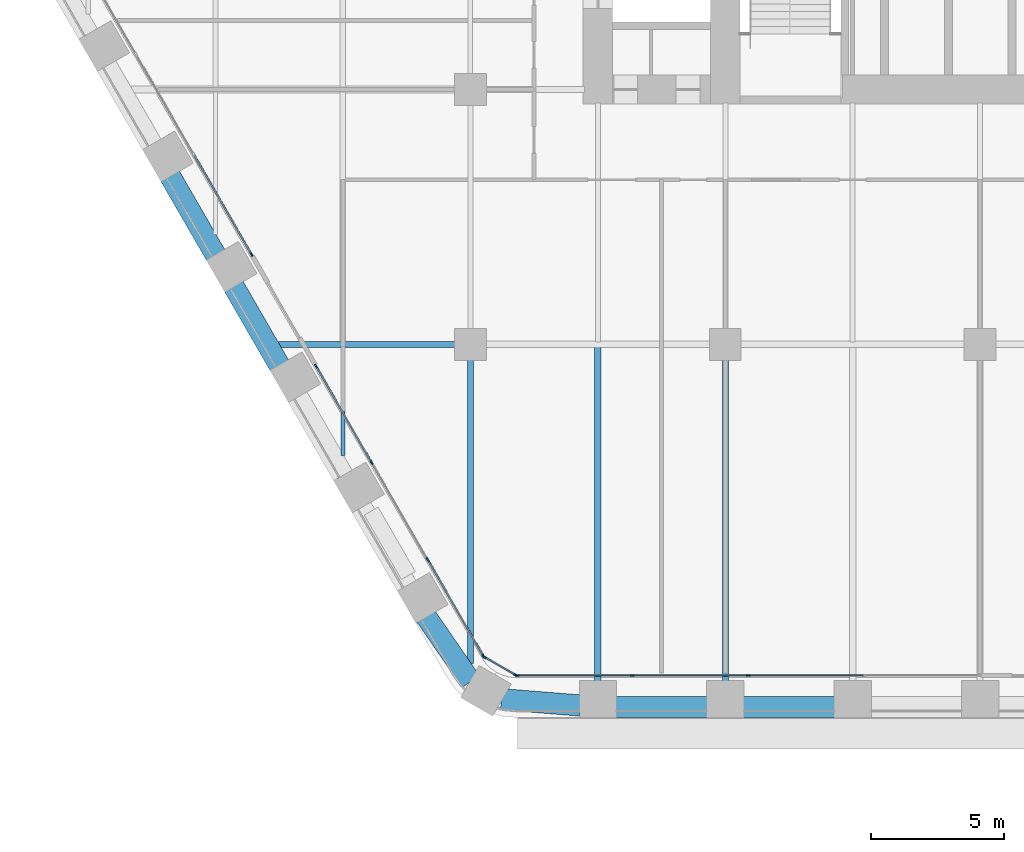
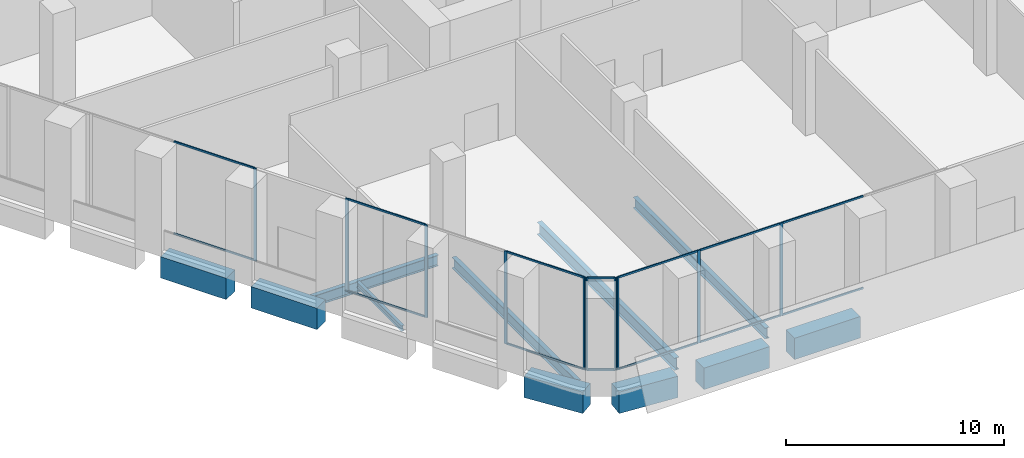
# One storey, part 2 of 29: 24 members, 11 beams, 4 elements without a shape of their own.
"""IFC4 building model written with IfcOpenShell, lengths in metres."""

from ifc_helpers import new_model, si_unit, direction, frame, origin, origin_2d, place, context, subcontext, project, spatial, rectangle, i_section, extrude, material, material_profile, profile_set, type_object, element, aggregate, save


model = new_model("IFC4")

# Units and contexts
model_context = context("Model", 3, precision=1e-05, world=origin(), true_north=direction((0.0, 1.0)))
body_context = subcontext(model_context, "Body", "Model", "MODEL_VIEW")
ifc_project = project(units=[si_unit("LENGTHUNIT", "METRE"), si_unit("AREAUNIT", "SQUARE_METRE"), si_unit("VOLUMEUNIT", "CUBIC_METRE"), si_unit("PLANEANGLEUNIT", "RADIAN"), si_unit("MASSUNIT", "GRAM", prefix="KILO")], contexts=[model_context])

# Site, building, storey
site_placement = place(None, origin())
site = spatial("IfcSite", under=ifc_project, at=site_placement, CompositionType="ELEMENT")
building_placement = place(site_placement, origin())
building = spatial("IfcBuilding", under=site, at=building_placement, Name="Kolab Exchange Tower", CompositionType="ELEMENT")
storey_placement = place(building_placement, frame((0.0, 0.0, 55.39990234375)))
storey = spatial("IfcBuildingStorey", under=building, at=storey_placement, Name="L10", CompositionType="ELEMENT", Elevation=55.39990234375)

# Beams
ifc_material_1 = material(Name="Steel S355", Category="steel")
ifc_material_profile_1 = material_profile(ifc_material_1, i_section(OverallWidth=0.1650390625, OverallDepth=0.31005859375, WebThickness=0.005859375, FlangeThickness=0.009765625, at=origin_2d()), Name="W310X39")
ifc_profile_set_1 = profile_set([ifc_material_profile_1], Name="Steel S355")
beam_type_1 = type_object("IfcBeamType", Name="FLOOR BEAM W310X39", PredefinedType="BEAM", material=ifc_profile_set_1)
beam_1_placement = place(storey_placement, frame((-24.0, -23.381591796875, -0.40478515625), z_axis=(0.0, 1.0, 0.0), x_axis=(-1.0, 0.0, 0.0)))
element("IfcBeam", 1, at=beam_1_placement, inside=storey, type_object=beam_type_1, Name="beam/L10/fr/006", PredefinedType="BEAM", context=body_context, shape_type="SweptSolid", body=[
    extrude(i_section(OverallWidth=0.1650390625, OverallDepth=0.31005859375, WebThickness=0.005859375, FlangeThickness=0.009765625, at=origin_2d()), origin(), (0.0, 0.0, 1.0), 4.107666015625),
])
ifc_material_profile_2 = material_profile(ifc_material_1, i_section(OverallWidth=0.22802734375, OverallDepth=0.60791015625, WebThickness=0.01123046875, FlangeThickness=0.017333984375, at=origin_2d()), Name="W610X113")
ifc_profile_set_2 = profile_set([ifc_material_profile_2], Name="Steel S355")
beam_type_2 = type_object("IfcBeamType", Name="FLOOR BEAM W610X113", PredefinedType="BEAM", material=ifc_profile_set_2)
beam_2_placement = place(storey_placement, frame((-19.199951171875, -31.214599609375, -0.553955078125), z_axis=(0.0, 1.0, 0.0), x_axis=(-1.0, 0.0, 0.0)))
element("IfcBeam", 2, at=beam_2_placement, inside=storey, type_object=beam_type_2, Name="beam/L10/fr/012", PredefinedType="BEAM", context=body_context, shape_type="SweptSolid", body=[
    extrude(i_section(OverallWidth=0.22802734375, OverallDepth=0.60791015625, WebThickness=0.01123046875, FlangeThickness=0.017333984375, at=origin_2d()), origin(), (0.0, 0.0, 1.0), 11.45458984375),
])
beam_3_placement = place(storey_placement, frame((-9.60009765625, -31.8955078125, -0.553955078125), z_axis=(0.0, 1.0, 0.0), x_axis=(-1.0, 0.0, 0.0)))
element("IfcBeam", 3, at=beam_3_placement, inside=storey, type_object=beam_type_2, Name="beam/L10/fr/022", PredefinedType="BEAM", context=body_context, shape_type="SweptSolid", body=[
    extrude(i_section(OverallWidth=0.22802734375, OverallDepth=0.60791015625, WebThickness=0.01123046875, FlangeThickness=0.017333984375, at=origin_2d()), origin(), (0.0, 0.0, 1.0), 12.135498046875),
])
ifc_material_profile_3 = material_profile(ifc_material_1, i_section(OverallWidth=0.25390625, OverallDepth=0.68408203125, WebThickness=0.012451171875, FlangeThickness=0.018798828125, at=origin_2d()), Name="W690X140")
ifc_profile_set_3 = profile_set([ifc_material_profile_3], Name="Steel S355")
beam_type_3 = type_object("IfcBeamType", Name="FLOOR BEAM W690X140", PredefinedType="BEAM", material=ifc_profile_set_3)
beam_4_placement = place(storey_placement, frame((-14.39990234375, -31.8955078125, -0.591796875), z_axis=(0.0, 1.0, 0.0), x_axis=(-1.0, 0.0, 0.0)))
element("IfcBeam", 4, at=beam_4_placement, inside=storey, type_object=beam_type_3, Name="beam/L10/fr/018", PredefinedType="BEAM", context=body_context, shape_type="SweptSolid", body=[
    extrude(i_section(OverallWidth=0.25390625, OverallDepth=0.68408203125, WebThickness=0.012451171875, FlangeThickness=0.018798828125, at=origin_2d()), origin(), (0.0, 0.0, 1.0), 12.6083984375),
])
ifc_material_profile_4 = material_profile(ifc_material_1, i_section(OverallWidth=0.22802734375, OverallDepth=0.60791015625, WebThickness=0.01123046875, FlangeThickness=0.017333984375, at=origin_2d()), Name="W610X113")
ifc_profile_set_4 = profile_set([ifc_material_profile_4], Name="Steel S355")
beam_type_4 = type_object("IfcBeamType", Name="FLOOR GIRDER W610X113", PredefinedType="BEAM", material=ifc_profile_set_4)
beam_5_placement = place(storey_placement, frame((-26.43115234375, -19.199951171875, -0.553955078125), z_axis=(1.0, 0.0, 0.0), x_axis=(0.0, 1.0, 0.0)))
element("IfcBeam", 5, at=beam_5_placement, inside=storey, type_object=beam_type_4, Name="beam/L10/gd/004", PredefinedType="BEAM", context=body_context, shape_type="SweptSolid", body=[
    extrude(i_section(OverallWidth=0.22802734375, OverallDepth=0.60791015625, WebThickness=0.01123046875, FlangeThickness=0.017333984375, at=origin_2d()), origin(), (0.0, 0.0, 1.0), 6.671142578125),
])
ifc_material_2 = material(Name="Concrete C80/95", Category="concrete")
ifc_material_profile_5 = material_profile(ifc_material_2, rectangle(XDim=0.800048828125, YDim=1.199951171875, at=origin_2d()), Name="RC800X1200")
ifc_profile_set_5 = profile_set([ifc_material_profile_5], Name="Concrete C80/95")
beam_type_5 = type_object("IfcBeamType", Name="SPANDREL BEAM 800X1200 C80/95", PredefinedType="BEAM", material=ifc_profile_set_5)
for number, where, z_axis, x_axis, name in (
    (6, (-5.4599609375, -32.85546875, -0.849853515625), (-1.0, 0.0, 0.0), (0.0, -1.0, 0.0), "beam/L10/sp/F4-06"),
    (7, (-10.260009765625, -32.85546875, -0.849853515625), (-1.0, 0.0, 0.0), (0.0, -1.0, 0.0), "beam/L10/sp/F4-07"),
):
    element("IfcBeam", number, at=place(storey_placement, frame(where, z_axis=z_axis, x_axis=x_axis)), inside=storey, type_object=beam_type_5, Name=name, PredefinedType="BEAM", context=body_context, shape_type="SweptSolid", body=[
        extrude(rectangle(XDim=0.800048828125, YDim=1.199951171875, at=origin_2d()), origin(), (0.0, 0.0, 1.0), 3.47998046875),
    ])
beam_6_placement = place(storey_placement, frame((-15.06005859375, -32.802734375, -0.849853515625), z_axis=(-0.996833978278, 0.07951112973, 0.0), x_axis=(-0.07951112973, -0.996833978278, 0.0)))
element("IfcBeam", 8, at=beam_6_placement, inside=storey, type_object=beam_type_5, Name="beam/L10/sp/F4-08", PredefinedType="BEAM", context=body_context, shape_type="SweptSolid", body=[
    extrude(rectangle(XDim=0.800048828125, YDim=1.199951171875, at=origin_2d()), origin(), (0.0, 0.0, 1.0), 2.984619140625),
])
beam_7_placement = place(storey_placement, frame((-19.18505859375, -31.901611328125, -0.849853515625), z_axis=(-0.567247290755, 0.823547516013, 0.0), x_axis=(-0.823547516013, -0.567247290755, 0.0)))
element("IfcBeam", 9, at=beam_7_placement, inside=storey, type_object=beam_type_5, Name="beam/L10/sp/F5-01", PredefinedType="BEAM", context=body_context, shape_type="SweptSolid", body=[
    extrude(rectangle(XDim=0.800048828125, YDim=1.199951171875, at=origin_2d()), origin(), (0.0, 0.0, 1.0), 2.984375),
])
beam_8_placement = place(storey_placement, frame((-26.383544921875, -20.012939453125, -0.849853515625), z_axis=(-0.500009906705, 0.86601968407, 0.0), x_axis=(-0.86601968407, -0.500009906705, 0.0)))
element("IfcBeam", 10, at=beam_8_placement, inside=storey, type_object=beam_type_5, Name="beam/L10/sp/F5-04", PredefinedType="BEAM", context=body_context, shape_type="SweptSolid", body=[
    extrude(rectangle(XDim=0.800048828125, YDim=1.199951171875, at=origin_2d()), origin(), (0.0, 0.0, 1.0), 3.47998046875),
])
beam_9_placement = place(storey_placement, frame((-28.78369140625, -15.856201171875, -0.849853515625), z_axis=(-0.499979528911, 0.866037222451, 0.0), x_axis=(-0.866037222451, -0.499979528911, 0.0)))
element("IfcBeam", 11, at=beam_9_placement, inside=storey, type_object=beam_type_5, Name="beam/L10/sp/F5-05", PredefinedType="BEAM", context=body_context, shape_type="SweptSolid", body=[
    extrude(rectangle(XDim=0.800048828125, YDim=1.199951171875, at=origin_2d()), origin(), (0.0, 0.0, 1.0), 3.480224609375),
])

# Curtain wall, members
ifc_material_3 = material(Name="Aluminium EN AW-6063 T6", Category="aluminium")
curtain_wall_type = type_object("IfcCurtainWallType", Name="UNITISED LOW ZONE CURTAIN WALL", PredefinedType="NOTDEFINED", material=ifc_material_3)
curtain_wall_1_placement = place(storey_placement, origin())
curtain_wall_1 = element("IfcCurtainWall", 12, at=curtain_wall_1_placement, inside=storey, type_object=curtain_wall_type, Name="cw/L10/F4-2", PredefinedType="NOTDEFINED")
ifc_material_profile_6 = material_profile(ifc_material_3, rectangle(XDim=0.06005859375, YDim=0.159912109375, at=origin_2d()), Name="RECT 60X160")
ifc_profile_set_6 = profile_set([ifc_material_profile_6], Name="Aluminium EN AW-6063 T6")
member_type_1 = type_object("IfcMemberType", Name="UNITISED LOW ZONE MULLION 60 X 160", PredefinedType="MULLION", material=ifc_profile_set_6)
member_1_placement = place(storey_placement, frame((-8.73388671875, -31.67529296875, 0.0), z_axis=(0.0, 0.0, 1.0), x_axis=(0.0, -1.0, 0.0)))
member_1 = element("IfcMember", 13, at=member_1_placement, type_object=member_type_1, Name="CW1 mullion 3", PredefinedType="MULLION", context=body_context, shape_type="SweptSolid", body=[
    extrude(rectangle(XDim=0.06005859375, YDim=0.159912109375, at=origin_2d()), origin(), (0.0, 0.0, 1.0), 5.2001953125),
])
member_2_placement = place(storey_placement, frame((-13.10107421875, -31.67529296875, 0.0), z_axis=(0.0, 0.0, 1.0), x_axis=(0.0, -1.0, 0.0)))
member_2 = element("IfcMember", 14, at=member_2_placement, type_object=member_type_1, Name="CW1 mullion 4", PredefinedType="MULLION", context=body_context, shape_type="SweptSolid", body=[
    extrude(rectangle(XDim=0.06005859375, YDim=0.159912109375, at=origin_2d()), origin(), (0.0, 0.0, 1.0), 5.2001953125),
])
member_3_placement = place(storey_placement, frame((-17.43798828125, -31.67529296875, 0.0), z_axis=(0.0, 0.0, 1.0), x_axis=(0.0, -1.0, 0.0)))
member_3 = element("IfcMember", 15, at=member_3_placement, type_object=member_type_1, Name="CW1 mullion 5", PredefinedType="MULLION", context=body_context, shape_type="SweptSolid", body=[
    extrude(rectangle(XDim=0.06005859375, YDim=0.159912109375, at=origin_2d()), origin(), (0.0, 0.0, 1.0), 5.2001953125),
])

curtain_wall_2_placement = place(storey_placement, origin())
curtain_wall_2 = element("IfcCurtainWall", 16, at=curtain_wall_2_placement, inside=storey, type_object=curtain_wall_type, Name="cw/L10/F5-1", PredefinedType="NOTDEFINED")
member_4_placement = place(storey_placement, frame((-18.712646484375, -30.939453125, 0.0), z_axis=(0.0, 0.0, 1.0), x_axis=(-0.866025393644, -0.500000017564, 0.0)))
member_4 = element("IfcMember", 17, at=member_4_placement, type_object=member_type_1, Name="CW1 mullion 1", PredefinedType="MULLION", context=body_context, shape_type="SweptSolid", body=[
    extrude(rectangle(XDim=0.06005859375, YDim=0.159912109375, at=origin_2d()), origin(), (0.0, 0.0, 1.0), 5.2001953125),
])
member_5_placement = place(storey_placement, frame((-20.80908203125, -27.308349609375, 0.0), z_axis=(0.0, 0.0, 1.0), x_axis=(-0.866025393644, -0.500000017564, 0.0)))
member_5 = element("IfcMember", 18, at=member_5_placement, type_object=member_type_1, Name="CW1 mullion 2", PredefinedType="MULLION", context=body_context, shape_type="SweptSolid", body=[
    extrude(rectangle(XDim=0.06005859375, YDim=0.159912109375, at=origin_2d()), origin(), (0.0, 0.0, 1.0), 5.2001953125),
])
member_6_placement = place(storey_placement, frame((-22.92041015625, -23.651611328125, 0.0), z_axis=(0.0, 0.0, 1.0), x_axis=(-0.866025393644, -0.500000017564, 0.0)))
member_6 = element("IfcMember", 19, at=member_6_placement, type_object=member_type_1, Name="CW1 mullion 3", PredefinedType="MULLION", context=body_context, shape_type="SweptSolid", body=[
    extrude(rectangle(XDim=0.06005859375, YDim=0.159912109375, at=origin_2d()), origin(), (0.0, 0.0, 1.0), 5.2001953125),
])
member_7_placement = place(storey_placement, frame((-25.0166015625, -20.0205078125, 0.0), z_axis=(0.0, 0.0, 1.0), x_axis=(-0.866025393644, -0.500000017564, 0.0)))
member_7 = element("IfcMember", 20, at=member_7_placement, type_object=member_type_1, Name="CW1 mullion 4", PredefinedType="MULLION", context=body_context, shape_type="SweptSolid", body=[
    extrude(rectangle(XDim=0.06005859375, YDim=0.159912109375, at=origin_2d()), origin(), (0.0, 0.0, 1.0), 5.2001953125),
])

# Curtain wall, member
curtain_wall_3_placement = place(storey_placement, origin())
curtain_wall_3 = element("IfcCurtainWall", 21, at=curtain_wall_3_placement, inside=storey, type_object=curtain_wall_type, Name="cw/L10/F5-2", PredefinedType="NOTDEFINED")
member_8_placement = place(storey_placement, frame((-27.44677734375, -15.811767578125, 0.0), z_axis=(0.0, 0.0, 1.0), x_axis=(-0.866025422102, -0.499999968274, 0.0)))
member_8 = element("IfcMember", 22, at=member_8_placement, type_object=member_type_1, Name="CW1 mullion 1", PredefinedType="MULLION", context=body_context, shape_type="SweptSolid", body=[
    extrude(rectangle(XDim=0.06005859375, YDim=0.159912109375, at=origin_2d()), origin(), (0.0, 0.0, 1.0), 5.2001953125),
])

# Curtain wall, members
curtain_wall_4_placement = place(storey_placement, origin())
curtain_wall_4 = element("IfcCurtainWall", 23, at=curtain_wall_4_placement, inside=storey, type_object=curtain_wall_type, Name="cw/L10/F4F5-corner", PredefinedType="NOTDEFINED")
member_9_placement = place(storey_placement, frame((-17.493896484375, -31.660400390625, 0.0), z_axis=(0.0, 0.0, 1.0), x_axis=(-0.50000002237, -0.866025390869, 0.0)))
member_9 = element("IfcMember", 24, at=member_9_placement, type_object=member_type_1, Name="CW1 mullion 1", PredefinedType="MULLION", context=body_context, shape_type="SweptSolid", body=[
    extrude(rectangle(XDim=0.06005859375, YDim=0.159912109375, at=origin_2d()), origin(), (0.0, 0.0, 1.0), 5.2001953125),
])
member_10_placement = place(storey_placement, frame((-18.671630859375, -30.98046875, 0.0), z_axis=(0.0, 0.0, 1.0), x_axis=(-0.50000002237, -0.866025390869, 0.0)))
member_10 = element("IfcMember", 25, at=member_10_placement, type_object=member_type_1, Name="CW1 mullion 2", PredefinedType="MULLION", context=body_context, shape_type="SweptSolid", body=[
    extrude(rectangle(XDim=0.06005859375, YDim=0.159912109375, at=origin_2d()), origin(), (0.0, 0.0, 1.0), 5.2001953125),
])

# Member
ifc_material_profile_7 = material_profile(ifc_material_3, rectangle(XDim=0.06005859375, YDim=0.10009765625, at=origin_2d()), Name="RECT 60X100")
ifc_profile_set_7 = profile_set([ifc_material_profile_7], Name="Aluminium EN AW-6063 T6")
member_type_2 = type_object("IfcMemberType", Name="UNITISED LOW ZONE TRANSOM 60 X 100", PredefinedType="USERDEFINED", material=ifc_profile_set_7)
member_11_placement = place(storey_placement, frame((-4.39697265625, -31.67529296875, 0.030029296875), z_axis=(-1.0, 0.0, 0.0), x_axis=(0.0, -1.0, 0.0)))
member_11 = element("IfcMember", 26, at=member_11_placement, type_object=member_type_2, Name="CW1 transom 2.1", ObjectType="TRANSOM", PredefinedType="USERDEFINED", context=body_context, shape_type="SweptSolid", body=[
    extrude(rectangle(XDim=0.06005859375, YDim=0.10009765625, at=origin_2d()), origin(), (0.0, 0.0, 1.0), 4.306884765625),
])

member_12_placement = place(storey_placement, frame((-4.39697265625, -31.67529296875, 5.170166015625), z_axis=(-1.0, 0.0, 0.0), x_axis=(0.0, -1.0, 0.0)))
member_12 = element("IfcMember", 27, at=member_12_placement, type_object=member_type_2, Name="CW1 transom 2.2", ObjectType="TRANSOM", PredefinedType="USERDEFINED", context=body_context, shape_type="SweptSolid", body=[
    extrude(rectangle(XDim=0.06005859375, YDim=0.10009765625, at=origin_2d()), origin(), (0.0, 0.0, 1.0), 4.306884765625),
])

member_13_placement = place(storey_placement, frame((-8.763916015625, -31.67529296875, 0.030029296875), z_axis=(-1.0, 0.0, 0.0), x_axis=(0.0, -1.0, 0.0)))
member_13 = element("IfcMember", 28, at=member_13_placement, type_object=member_type_2, Name="CW1 transom 3.1", ObjectType="TRANSOM", PredefinedType="USERDEFINED", context=body_context, shape_type="SweptSolid", body=[
    extrude(rectangle(XDim=0.06005859375, YDim=0.10009765625, at=origin_2d()), origin(), (0.0, 0.0, 1.0), 4.30712890625),
])

member_14_placement = place(storey_placement, frame((-8.763916015625, -31.67529296875, 5.170166015625), z_axis=(-1.0, 0.0, 0.0), x_axis=(0.0, -1.0, 0.0)))
member_14 = element("IfcMember", 29, at=member_14_placement, type_object=member_type_2, Name="CW1 transom 3.2", ObjectType="TRANSOM", PredefinedType="USERDEFINED", context=body_context, shape_type="SweptSolid", body=[
    extrude(rectangle(XDim=0.06005859375, YDim=0.10009765625, at=origin_2d()), origin(), (0.0, 0.0, 1.0), 4.30712890625),
])

member_15_placement = place(storey_placement, frame((-13.130859375, -31.67529296875, 0.030029296875), z_axis=(-1.0, 0.0, 0.0), x_axis=(0.0, -1.0, 0.0)))
member_15 = element("IfcMember", 30, at=member_15_placement, type_object=member_type_2, Name="CW1 transom 4.1", ObjectType="TRANSOM", PredefinedType="USERDEFINED", context=body_context, shape_type="SweptSolid", body=[
    extrude(rectangle(XDim=0.06005859375, YDim=0.10009765625, at=origin_2d()), origin(), (0.0, 0.0, 1.0), 4.277099609375),
])

member_16_placement = place(storey_placement, frame((-13.130859375, -31.67529296875, 5.170166015625), z_axis=(-1.0, 0.0, 0.0), x_axis=(0.0, -1.0, 0.0)))
member_16 = element("IfcMember", 31, at=member_16_placement, type_object=member_type_2, Name="CW1 transom 4.2", ObjectType="TRANSOM", PredefinedType="USERDEFINED", context=body_context, shape_type="SweptSolid", body=[
    extrude(rectangle(XDim=0.06005859375, YDim=0.10009765625, at=origin_2d()), origin(), (0.0, 0.0, 1.0), 4.277099609375),
])

aggregate(curtain_wall_1, [member_1, member_2, member_3, member_11, member_12, member_13, member_14, member_15, member_16])

member_17_placement = place(storey_placement, frame((-18.727783203125, -30.913330078125, 0.030029296875), z_axis=(-0.499983268986, 0.866035063224, 0.0), x_axis=(-0.866035063224, -0.499983268986, 0.0)))
member_17 = element("IfcMember", 32, at=member_17_placement, type_object=member_type_2, Name="CW1 transom 1.1", ObjectType="TRANSOM", PredefinedType="USERDEFINED", context=body_context, shape_type="SweptSolid", body=[
    extrude(rectangle(XDim=0.06005859375, YDim=0.10009765625, at=origin_2d()), origin(), (0.0, 0.0, 1.0), 4.132568359375),
])

member_18_placement = place(storey_placement, frame((-18.727783203125, -30.913330078125, 5.170166015625), z_axis=(-0.499983268986, 0.866035063224, 0.0), x_axis=(-0.866035063224, -0.499983268986, 0.0)))
member_18 = element("IfcMember", 33, at=member_18_placement, type_object=member_type_2, Name="CW1 transom 1.2", ObjectType="TRANSOM", PredefinedType="USERDEFINED", context=body_context, shape_type="SweptSolid", body=[
    extrude(rectangle(XDim=0.06005859375, YDim=0.10009765625, at=origin_2d()), origin(), (0.0, 0.0, 1.0), 4.132568359375),
])

member_19_placement = place(storey_placement, frame((-22.935302734375, -23.62548828125, 0.030029296875), z_axis=(-0.500027577057, 0.866009481578, 0.0), x_axis=(-0.866009481578, -0.500027577057, 0.0)))
member_19 = element("IfcMember", 34, at=member_19_placement, type_object=member_type_2, Name="CW1 transom 3.1", ObjectType="TRANSOM", PredefinedType="USERDEFINED", context=body_context, shape_type="SweptSolid", body=[
    extrude(rectangle(XDim=0.06005859375, YDim=0.10009765625, at=origin_2d()), origin(), (0.0, 0.0, 1.0), 4.132568359375),
])

member_20_placement = place(storey_placement, frame((-22.935302734375, -23.62548828125, 5.170166015625), z_axis=(-0.500027577057, 0.866009481578, 0.0), x_axis=(-0.866009481578, -0.500027577057, 0.0)))
member_20 = element("IfcMember", 35, at=member_20_placement, type_object=member_type_2, Name="CW1 transom 3.2", ObjectType="TRANSOM", PredefinedType="USERDEFINED", context=body_context, shape_type="SweptSolid", body=[
    extrude(rectangle(XDim=0.06005859375, YDim=0.10009765625, at=origin_2d()), origin(), (0.0, 0.0, 1.0), 4.132568359375),
])

aggregate(curtain_wall_2, [member_4, member_5, member_6, member_7, member_17, member_18, member_19, member_20])

member_21_placement = place(storey_placement, frame((-27.461669921875, -15.78564453125, 0.030029296875), z_axis=(-0.500000816281, 0.866024932504, 0.0), x_axis=(-0.866024932504, -0.500000816281, 0.0)))
member_21 = element("IfcMember", 36, at=member_21_placement, type_object=member_type_2, Name="CW1 transom 1.1", ObjectType="TRANSOM", PredefinedType="USERDEFINED", context=body_context, shape_type="SweptSolid", body=[
    extrude(rectangle(XDim=0.06005859375, YDim=0.10009765625, at=origin_2d()), origin(), (0.0, 0.0, 1.0), 4.27685546875),
])

member_22_placement = place(storey_placement, frame((-27.461669921875, -15.78564453125, 5.170166015625), z_axis=(-0.500000816281, 0.866024932504, 0.0), x_axis=(-0.866024932504, -0.500000816281, 0.0)))
member_22 = element("IfcMember", 37, at=member_22_placement, type_object=member_type_2, Name="CW1 transom 1.2", ObjectType="TRANSOM", PredefinedType="USERDEFINED", context=body_context, shape_type="SweptSolid", body=[
    extrude(rectangle(XDim=0.06005859375, YDim=0.10009765625, at=origin_2d()), origin(), (0.0, 0.0, 1.0), 4.27685546875),
])

aggregate(curtain_wall_3, [member_8, member_21, member_22])

member_23_placement = place(storey_placement, frame((-17.52001953125, -31.645263671875, 0.030029296875), z_axis=(-0.86603858612, 0.49997716683, 0.0), x_axis=(-0.49997716683, -0.86603858612, 0.0)))
member_23 = element("IfcMember", 38, at=member_23_placement, type_object=member_type_2, Name="CW1 transom 1.1", ObjectType="TRANSOM", PredefinedType="USERDEFINED", context=body_context, shape_type="SweptSolid", body=[
    extrude(rectangle(XDim=0.06005859375, YDim=0.10009765625, at=origin_2d()), origin(), (0.0, 0.0, 1.0), 1.2998046875),
])

member_24_placement = place(storey_placement, frame((-17.52001953125, -31.645263671875, 5.170166015625), z_axis=(-0.86603858612, 0.49997716683, 0.0), x_axis=(-0.49997716683, -0.86603858612, 0.0)))
member_24 = element("IfcMember", 39, at=member_24_placement, type_object=member_type_2, Name="CW1 transom 1.2", ObjectType="TRANSOM", PredefinedType="USERDEFINED", context=body_context, shape_type="SweptSolid", body=[
    extrude(rectangle(XDim=0.06005859375, YDim=0.10009765625, at=origin_2d()), origin(), (0.0, 0.0, 1.0), 1.2998046875),
])

aggregate(curtain_wall_4, [member_9, member_10, member_23, member_24])

save(model, "model.ifc")
